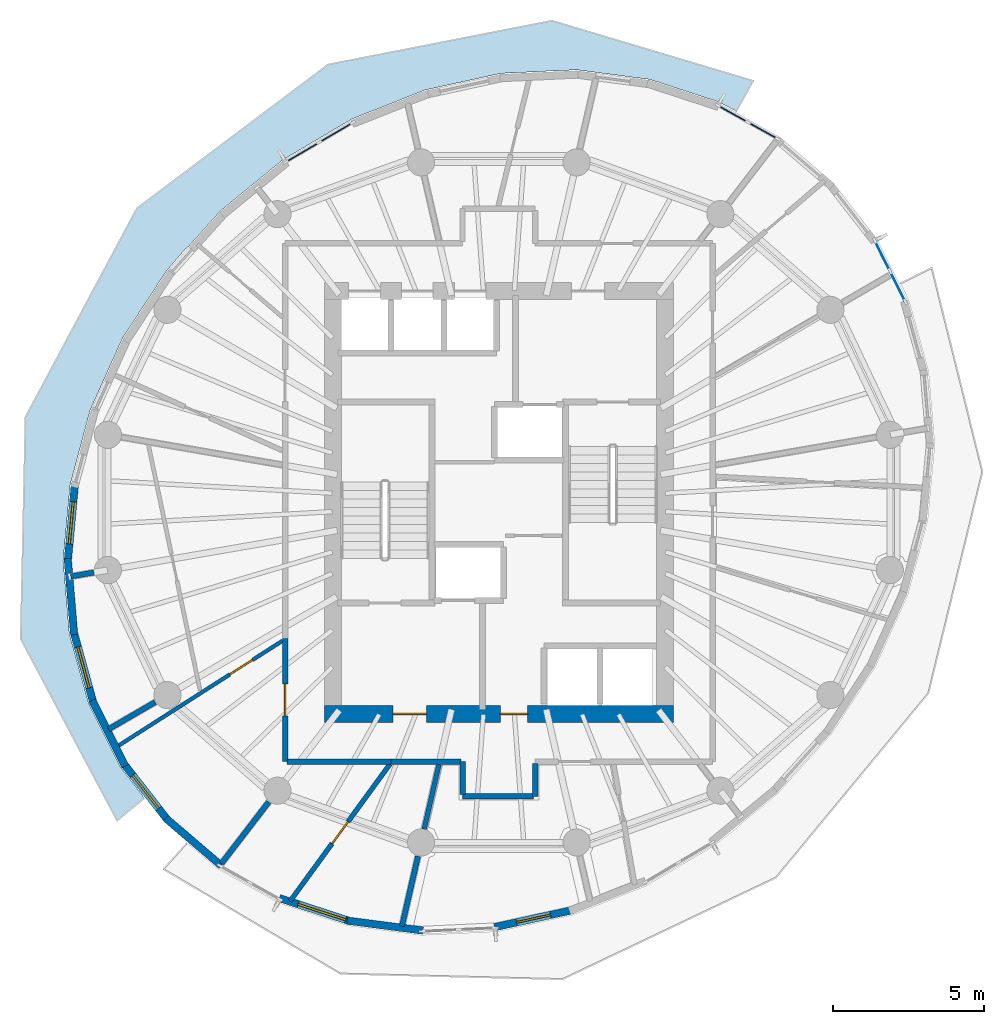
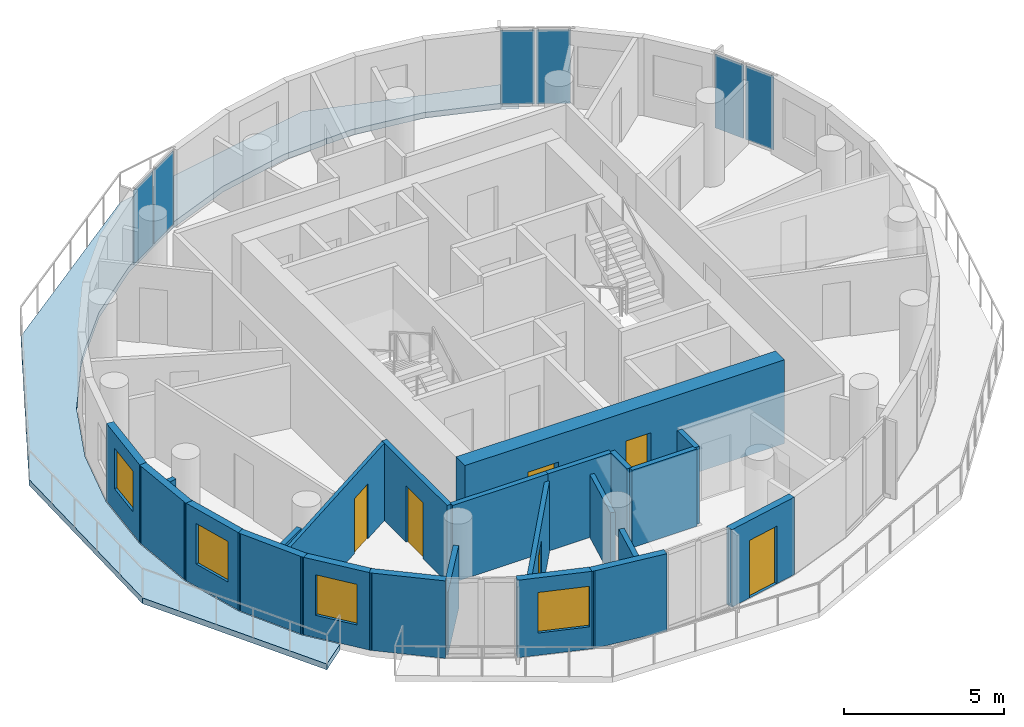
# One storey, part 4 of 10: 23 walls, 6 doors, 6 plates, 4 windows, 1 slab, 10 openings, 3 elements without a shape of their own.
"""IFC4 building model written with IfcOpenShell, lengths in metres."""

from ifc_helpers import new_model, si_unit, direction, frame, frame_2d, origin, origin_2d, place, context, subcontext, project, spatial, polyline, rectangle, outline, extrude, material, layer, layer_set, type_object, element, fill, aggregate, save


model = new_model("IFC4")

# Units and contexts
model_context = context("Model", 3, precision=1e-05, world=origin(), true_north=direction((0.0, 1.0)))
body_context = subcontext(model_context, "Body", "Model", "MODEL_VIEW")
ifc_project = project(units=[si_unit("LENGTHUNIT", "METRE"), si_unit("AREAUNIT", "SQUARE_METRE"), si_unit("VOLUMEUNIT", "CUBIC_METRE"), si_unit("PLANEANGLEUNIT", "RADIAN"), si_unit("MASSUNIT", "GRAM", prefix="KILO")], contexts=[model_context])

# Site, building, storey
site_placement = place(None, origin())
site = spatial("IfcSite", under=ifc_project, at=site_placement, CompositionType="ELEMENT")
building_placement = place(site_placement, origin())
building = spatial("IfcBuilding", under=site, at=building_placement, Name="Veldorim Arch Residences", CompositionType="ELEMENT")
storey_placement = place(building_placement, frame((0.0, 0.0, 175.840087890625)))
storey = spatial("IfcBuildingStorey", under=building, at=storey_placement, Name="L52", CompositionType="ELEMENT", Elevation=175.840087890625)

# Slab
ifc_material_1 = material(Name="Concrete C40/50", Category="concrete")
ifc_layer_1 = layer(ifc_material_1, 0.219970703125, Name="Planted Crescent Cantilever Balcony Slab 220")
ifc_layer_set_1 = layer_set([ifc_layer_1], Name="Concrete C40/50")
slab_type = type_object("IfcSlabType", Name="Planted Crescent Cantilever Balcony Slab 220", PredefinedType="FLOOR", material=ifc_layer_set_1)
slab_placement = place(storey_placement, frame((0.0, 0.0, -0.219970703125)))
element("IfcSlab", 1, at=slab_placement, inside=storey, type_object=slab_type, Name="L52 planted crescent balcony slab A", PredefinedType="FLOOR", context=body_context, shape_type="SweptSolid", body=[
    extrude(outline(polyline([(39.86279296875, 36.956298828125), (39.275146484375, 37.260009765625), (37.001220703125, 38.00390625), (34.575439453125, 38.322265625), (33.7724609375, 38.284912109375), (33.6787109375, 38.30517578125), (33.556640625, 38.274658203125), (32.071533203125, 38.205322265625), (29.565673828125, 37.65673828125), (27.134033203125, 36.693359375), (24.85009765625, 35.3447265625), (22.783447265625, 33.651123046875), (21.719482421875, 32.46826171875), (21.622802734375, 32.393310546875), (20.99658203125, 31.664794921875), (19.544189453125, 29.445556640625), (18.469970703125, 27.060791015625), (17.806396484375, 24.582763671875), (17.57421875, 22.087158203125), (17.780517578125, 19.649169921875), (18.4189453125, 17.343505859375), (19.47021484375, 15.23974609375), (20.19482421875, 14.309814453125), (20.247314453125, 14.18994140625), (19.357177734375, 13.4619140625), (16.16650390625, 19.47705078125), (16.323974609375, 26.832275390625), (20.01220703125, 33.740966796875), (26.34228515625, 38.499267578125), (33.7568359375, 39.950927734375), (40.422607421875, 37.9609375), (39.86279296875, 36.956298828125)])), origin(), (0.0, 0.0, 1.0), 0.219970703125),
])

# Curtain wall, plates
ifc_material_2 = material(Name="Aluminium", Category="aluminium")
curtain_wall_type = type_object("IfcCurtainWallType", Name="Zone 4 High-Altitude Unitised Curtain Wall", PredefinedType="NOTDEFINED", material=ifc_material_2)
curtain_wall_1_placement = place(storey_placement, origin())
curtain_wall_1 = element("IfcCurtainWall", 2, at=curtain_wall_1_placement, inside=storey, type_object=curtain_wall_type, Name="L52 unitised curtain wall bay 02", PredefinedType="NOTDEFINED")
ifc_material_3 = material(Name="Laminated Low-E Glass", Category="glass")
ifc_layer_2 = layer(ifc_material_3, 0.030029296875, Name="Zone 4 High-Altitude Unitised Curtain Wall Glazing Panel 30")
ifc_layer_set_2 = layer_set([ifc_layer_2], Name="Laminated Low-E Glass")
plate_type = type_object("IfcPlateType", Name="Zone 4 High-Altitude Unitised Curtain Wall Glazing Panel 30", PredefinedType="CURTAIN_PANEL", material=ifc_layer_set_2)
plate_1_placement = place(storey_placement, frame((39.749755859375, 36.86328125, 0.074951171875), z_axis=(0.0, 0.0, 1.0), x_axis=(0.872990977539, -0.487736356175, 0.0)))
plate_1 = element("IfcPlate", 3, at=plate_1_placement, type_object=plate_type, Name="CW-Z4 panel 1.1", PredefinedType="CURTAIN_PANEL", context=body_context, shape_type="SweptSolid", body=[
    extrude(rectangle(XDim=1.060791015625, YDim=0.030029296875, at=origin_2d()), origin(), (0.0, 0.0, 1.0), 2.81005859375),
])
plate_2_placement = place(storey_placement, frame((40.741455078125, 36.30908203125, 0.074951171875), z_axis=(0.0, 0.0, 1.0), x_axis=(0.872990977539, -0.487736356175, 0.0)))
plate_2 = element("IfcPlate", 4, at=plate_2_placement, type_object=plate_type, Name="CW-Z4 panel 2.1", PredefinedType="CURTAIN_PANEL", context=body_context, shape_type="SweptSolid", body=[
    extrude(rectangle(XDim=1.060791015625, YDim=0.030029296875, at=origin_2d()), origin(), (0.0, 0.0, 1.0), 2.81005859375),
])
aggregate(curtain_wall_1, [plate_1, plate_2])

curtain_wall_2_placement = place(storey_placement, origin())
curtain_wall_2 = element("IfcCurtainWall", 5, at=curtain_wall_2_placement, inside=storey, type_object=curtain_wall_type, Name="L52 unitised curtain wall bay 08", PredefinedType="NOTDEFINED")
plate_3_placement = place(storey_placement, frame((25.49658203125, 35.5927734375, 0.074951171875), z_axis=(0.0, 0.0, 1.0), x_axis=(0.861053534494, 0.508514317139, 0.0)))
plate_3 = element("IfcPlate", 6, at=plate_3_placement, type_object=plate_type, Name="CW-Z4 panel 1.1", PredefinedType="CURTAIN_PANEL", context=body_context, shape_type="SweptSolid", body=[
    extrude(rectangle(XDim=1.211669921875, YDim=0.030029296875, at=origin_2d()), origin(), (0.0, 0.0, 1.0), 2.81005859375),
])
plate_4_placement = place(storey_placement, frame((26.6044921875, 36.2470703125, 0.074951171875), z_axis=(0.0, 0.0, 1.0), x_axis=(0.861053534494, 0.508514317139, 0.0)))
plate_4 = element("IfcPlate", 7, at=plate_4_placement, type_object=plate_type, Name="CW-Z4 panel 2.1", PredefinedType="CURTAIN_PANEL", context=body_context, shape_type="SweptSolid", body=[
    extrude(rectangle(XDim=1.211669921875, YDim=0.030029296875, at=origin_2d()), origin(), (0.0, 0.0, 1.0), 2.81005859375),
])
aggregate(curtain_wall_2, [plate_3, plate_4])

curtain_wall_3_placement = place(storey_placement, origin())
curtain_wall_3 = element("IfcCurtainWall", 8, at=curtain_wall_3_placement, inside=storey, type_object=curtain_wall_type, Name="L52 unitised curtain wall bay 35", PredefinedType="NOTDEFINED")
plate_5_placement = place(storey_placement, frame((44.69873046875, 32.1650390625, 0.074951171875), z_axis=(0.0, 0.0, 1.0), x_axis=(0.446992003276, -0.894537952804, 0.0)))
plate_5 = element("IfcPlate", 9, at=plate_5_placement, type_object=plate_type, Name="CW-Z4 panel 1.1", PredefinedType="CURTAIN_PANEL", context=body_context, shape_type="SweptSolid", body=[
    extrude(rectangle(XDim=1.060791015625, YDim=0.030029296875, at=origin_2d()), origin(), (0.0, 0.0, 1.0), 2.81005859375),
])
plate_6_placement = place(storey_placement, frame((45.20654296875, 31.14892578125, 0.074951171875), z_axis=(0.0, 0.0, 1.0), x_axis=(0.446992003276, -0.894537952804, 0.0)))
plate_6 = element("IfcPlate", 10, at=plate_6_placement, type_object=plate_type, Name="CW-Z4 panel 2.1", PredefinedType="CURTAIN_PANEL", context=body_context, shape_type="SweptSolid", body=[
    extrude(rectangle(XDim=1.060791015625, YDim=0.030029296875, at=origin_2d()), origin(), (0.0, 0.0, 1.0), 2.81005859375),
])
aggregate(curtain_wall_3, [plate_5, plate_6])

# Wall, opening, door
ifc_material_4 = material(Name="Acoustic Gypsum Board", Category="gypsum")
ifc_layer_3 = layer(ifc_material_4, 0.125, Name="Acoustic Stud Room Partition Wall 125")
ifc_layer_set_3 = layer_set([ifc_layer_3], Name="Acoustic Gypsum Board")
wall_type_1 = type_object("IfcWallType", Name="Acoustic Stud Room Partition Wall 125", PredefinedType="PARTITIONING", material=ifc_layer_set_3)
wall_1_placement = place(storey_placement, frame((19.326416015625, 15.896240234375, 0.0), z_axis=(0.0, 0.0, 1.0), x_axis=(0.842495759882, 0.538702974357, 0.0)))
wall_1 = element("IfcWall", 11, at=wall_1_placement, inside=storey, type_object=wall_type_1, Name="L52 interior wall WL-RES-L52-031", PredefinedType="PARTITIONING", context=body_context, shape_type="SweptSolid", body=[
    extrude(rectangle(XDim=6.539306640625, YDim=0.125, at=frame_2d((3.26953125, 0.0))), origin(), (0.0, 0.0, 1.0), 2.954833984375),
])
opening_1_placement = place(wall_1_placement, frame((4.469482421875, 0.0, 0.0)))
opening_1 = element("IfcOpeningElement", 12, at=opening_1_placement, cuts=wall_1, Name="Opening DR-INT", PredefinedType="OPENING", context=body_context, shape_type="SweptSolid", body=[
    extrude(rectangle(XDim=0.89990234375, YDim=2.10009765625, at=frame_2d((0.449951171875, 1.050048828125))), frame((0.0, 0.072509765625, 0.0), z_axis=(0.0, -1.0, 0.0), x_axis=(1.0, 0.0, 0.0)), (0.0, 0.0, 1.0), 0.14501953125),
])
ifc_material_5 = material(Name="Engineered Timber", Category="wood")
door_type_1 = type_object("IfcDoorType", Name="Apartment Internal Room Timber Door 900x2100", OperationType="SINGLE_SWING_LEFT", PredefinedType="DOOR", material=ifc_material_5)
door_1_placement = place(opening_1_placement, origin())
door_1 = element("IfcDoor", 13, at=door_1_placement, inside=storey, type_object=door_type_1, Name="L52 interior door DR-RES-L52-016", OperationType="SINGLE_SWING_RIGHT", OverallHeight=2.10009765625, OverallWidth=0.89990234375, PredefinedType="DOOR", context=body_context, shape_type="SweptSolid", body=[
    extrude(rectangle(XDim=0.89990234375, YDim=2.10009765625, at=frame_2d((0.449951171875, 1.050048828125))), frame((0.0, 0.02490234375, 0.0), z_axis=(0.0, -1.0, 0.0), x_axis=(1.0, 0.0, 0.0)), (0.0, 0.0, 1.0), 0.050048828125),
])
fill(opening_1, door_1)

# Walls
ifc_material_6 = material(Name="Lightweight Masonry Block & Gypsum", Category="masonry")
ifc_layer_4 = layer(ifc_material_6, 0.179931640625, Name="Compartment & Corridor Fire-Rated Party Wall 180")
ifc_layer_set_4 = layer_set([ifc_layer_4], Name="Lightweight Masonry Block & Gypsum")
wall_type_2 = type_object("IfcWallType", Name="Compartment & Corridor Fire-Rated Party Wall 180", PredefinedType="PARTITIONING", material=ifc_layer_set_4)
wall_2_placement = place(storey_placement, frame((18.590576171875, 21.680419921875, 0.0), z_axis=(0.0, 0.0, 1.0), x_axis=(-0.985363715758, -0.170465092225, 0.0)))
element("IfcWall", 14, at=wall_2_placement, inside=storey, type_object=wall_type_2, Name="L52 interior wall WL-PIER-L52-09", PredefinedType="PARTITIONING", context=body_context, shape_type="SweptSolid", body=[
    extrude(rectangle(XDim=0.7763671875, YDim=0.179931640625, at=frame_2d((0.38818359375, 0.0))), origin(), (0.0, 0.0, 1.0), 2.4033203125),
])
wall_3_placement = place(storey_placement, frame((20.6181640625, 17.385986328125, 0.0), z_axis=(0.0, 0.0, 1.0), x_axis=(-0.86456661279, -0.502518230563, 0.0)))
element("IfcWall", 15, at=wall_3_placement, inside=storey, type_object=wall_type_2, Name="L52 interior wall WL-PIER-L52-10", PredefinedType="PARTITIONING", context=body_context, shape_type="SweptSolid", body=[
    extrude(rectangle(XDim=1.784912109375, YDim=0.179931640625, at=frame_2d((0.892578125, 0.0))), origin(), (0.0, 0.0, 1.0), 2.4033203125),
])
wall_4_placement = place(storey_placement, frame((24.380126953125, 14.08203125, 0.0), z_axis=(0.0, 0.0, 1.0), x_axis=(-0.609164681512, -0.793043750873, 0.0)))
element("IfcWall", 16, at=wall_4_placement, inside=storey, type_object=wall_type_2, Name="L52 interior wall WL-PIER-L52-11", PredefinedType="PARTITIONING", context=body_context, shape_type="SweptSolid", body=[
    extrude(rectangle(XDim=2.57177734375, YDim=0.179931640625, at=frame_2d((1.285888671875, 0.0))), origin(), (0.0, 0.0, 1.0), 2.4033203125),
])
wall_5_placement = place(storey_placement, frame((29.320068359375, 12.282470703125, 0.0), z_axis=(0.0, 0.0, 1.0), x_axis=(-0.223011847659, -0.974815734282, 0.0)))
element("IfcWall", 17, at=wall_5_placement, inside=storey, type_object=wall_type_2, Name="L52 interior wall WL-PIER-L52-12", PredefinedType="PARTITIONING", context=body_context, shape_type="SweptSolid", body=[
    extrude(rectangle(XDim=2.37451171875, YDim=0.179931640625, at=frame_2d((1.187255859375, 0.0))), origin(), (0.0, 0.0, 1.0), 2.4033203125),
])
wall_6_placement = place(storey_placement, frame((33.199951171875, 15.360107421875, 0.0), z_axis=(0.0, 0.0, 1.0), x_axis=(0.0, -1.0, 0.0)))
element("IfcWall", 18, at=wall_6_placement, inside=storey, type_object=wall_type_2, Name="L52 interior wall WL-RES-L52-002", PredefinedType="PARTITIONING", context=body_context, shape_type="SweptSolid", body=[
    extrude(rectangle(XDim=1.090087890625, YDim=0.179931640625, at=frame_2d((0.544921875, 0.0))), origin(), (0.0, 0.0, 1.0), 2.954833984375),
])
wall_7_placement = place(storey_placement, frame((33.139892578125, 14.27001953125, 0.0), z_axis=(0.0, 0.0, 1.0), x_axis=(-1.0, 0.0, 0.0)))
element("IfcWall", 19, at=wall_7_placement, inside=storey, type_object=wall_type_2, Name="L52 interior wall WL-RES-L52-003", PredefinedType="PARTITIONING", context=body_context, shape_type="SweptSolid", body=[
    extrude(rectangle(XDim=2.33984375, YDim=0.179931640625, at=frame_2d((1.169921875, 0.0))), origin(), (0.0, 0.0, 1.0), 2.954833984375),
])
wall_8_placement = place(storey_placement, frame((30.800048828125, 14.330078125, 0.0), z_axis=(0.0, 0.0, 1.0), x_axis=(0.0, 1.0, 0.0)))
element("IfcWall", 20, at=wall_8_placement, inside=storey, type_object=wall_type_2, Name="L52 interior wall WL-RES-L52-004", PredefinedType="PARTITIONING", context=body_context, shape_type="SweptSolid", body=[
    extrude(rectangle(XDim=1.08984375, YDim=0.179931640625, at=frame_2d((0.544921875, 0.0))), origin(), (0.0, 0.0, 1.0), 2.954833984375),
])
wall_9_placement = place(storey_placement, frame((30.739990234375, 15.419921875, 0.0), z_axis=(0.0, 0.0, 1.0), x_axis=(-1.0, 0.0, 0.0)))
element("IfcWall", 21, at=wall_9_placement, inside=storey, type_object=wall_type_2, Name="L52 interior wall WL-RES-L52-005", PredefinedType="PARTITIONING", context=body_context, shape_type="SweptSolid", body=[
    extrude(rectangle(XDim=2.309326171875, YDim=0.179931640625, at=frame_2d((1.15478515625, 0.0))), origin(), (0.0, 0.0, 1.0), 2.954833984375),
])

# Wall, opening, door
wall_10_placement = place(storey_placement, frame((24.919921875, 15.419921875, 0.0), z_axis=(0.0, 0.0, 1.0), x_axis=(0.0, 1.0, 0.0)))
wall_10 = element("IfcWall", 22, at=wall_10_placement, inside=storey, type_object=wall_type_2, Name="L52 interior wall WL-RES-L52-014", PredefinedType="PARTITIONING", context=body_context, shape_type="SweptSolid", body=[
    extrude(rectangle(XDim=4.072998046875, YDim=0.179931640625, at=frame_2d((2.03662109375, 0.0))), origin(), (0.0, 0.0, 1.0), 2.954833984375),
])
opening_2_placement = place(wall_10_placement, frame((1.511474609375, 0.0, 0.0)))
opening_2 = element("IfcOpeningElement", 23, at=opening_2_placement, cuts=wall_10, Name="Opening DR-FLT", PredefinedType="OPENING", context=body_context, shape_type="SweptSolid", body=[
    extrude(rectangle(XDim=1.050048828125, YDim=2.14990234375, at=frame_2d((0.52490234375, 1.074951171875))), frame((0.0, 0.099853515625, 0.0), z_axis=(0.0, -1.0, 0.0), x_axis=(1.0, 0.0, 0.0)), (0.0, 0.0, 1.0), 0.199951171875),
])
ifc_material_7 = material(Name="Fire-Rated Timber", Category="wood")
door_type_2 = type_object("IfcDoorType", Name="Apartment Entrance Solid-Core Fire Door 1050x2150", OperationType="SINGLE_SWING_LEFT", PredefinedType="DOOR", material=ifc_material_7)
door_2_placement = place(opening_2_placement, origin())
door_2 = element("IfcDoor", 24, at=door_2_placement, inside=storey, type_object=door_type_2, Name="L52 interior door DR-RES-L52-014", OperationType="SINGLE_SWING_RIGHT", OverallHeight=2.14990234375, OverallWidth=1.050048828125, PredefinedType="DOOR", context=body_context, shape_type="SweptSolid", body=[
    extrude(rectangle(XDim=1.050048828125, YDim=2.14990234375, at=frame_2d((0.52490234375, 1.074951171875))), frame((0.0, 0.02490234375, 0.0), z_axis=(0.0, -1.0, 0.0), x_axis=(1.0, 0.0, 0.0)), (0.0, 0.0, 1.0), 0.050048828125),
])
fill(opening_2, door_2)

# Wall
wall_11_placement = place(storey_placement, frame((28.475341796875, 15.419921875, 0.0), z_axis=(0.0, 0.0, 1.0), x_axis=(-1.0, 0.0, 0.0)))
element("IfcWall", 25, at=wall_11_placement, inside=storey, type_object=wall_type_2, Name="L52 interior wall WL-RES-L52-015", PredefinedType="PARTITIONING", context=body_context, shape_type="SweptSolid", body=[
    extrude(rectangle(XDim=3.495361328125, YDim=0.179931640625, at=frame_2d((1.74755859375, 0.0))), origin(), (0.0, 0.0, 1.0), 2.954833984375),
])

# Wall, opening, window
ifc_material_8 = material(Name="Precast concrete C40/50", Category="concrete")
ifc_layer_5 = layer(ifc_material_8, 0.25, Name="Tower Terracotta Spandrel & Pier Wall 250")
ifc_layer_set_5 = layer_set([ifc_layer_5], Name="Precast concrete C40/50")
wall_type_3 = type_object("IfcWallType", Name="Tower Terracotta Spandrel & Pier Wall 250", PredefinedType="SOLIDWALL", material=ifc_layer_set_5)
wall_12_placement = place(storey_placement, frame((17.7197265625, 22.030517578125, 0.0), z_axis=(0.0, 0.0, 1.0), x_axis=(0.092582110032, 0.995705053167, 0.0)))
wall_12 = element("IfcWall", 26, at=wall_12_placement, inside=storey, type_object=wall_type_3, Name="L52 terracotta facade wall 14", PredefinedType="SOLIDWALL", context=body_context, shape_type="SweptSolid", body=[
    extrude(rectangle(XDim=2.59228515625, YDim=0.25, at=frame_2d((1.296142578125, 0.0))), origin(), (0.0, 0.0, 1.0), 2.9599609375),
])
opening_3_placement = place(wall_12_placement, frame((0.595947265625, 0.0, 0.85009765625)))
opening_3 = element("IfcOpeningElement", 27, at=opening_3_placement, cuts=wall_12, Name="Opening WN-02", PredefinedType="OPENING", context=body_context, shape_type="SweptSolid", body=[
    extrude(rectangle(XDim=1.39990234375, YDim=1.550048828125, at=frame_2d((0.699951171875, 0.77490234375))), frame((0.0, 0.135009765625, 0.0), z_axis=(0.0, -1.0, 0.0), x_axis=(1.0, 0.0, 0.0)), (0.0, 0.0, 1.0), 0.27001953125),
])
ifc_material_9 = material(Name="Laminated Low-E Glass", Category="glass")
window_type_1 = type_object("IfcWindowType", Name="Residential Casement Window 1400x1550", PartitioningType="SINGLE_PANEL", PredefinedType="WINDOW", material=ifc_material_9)
window_1_placement = place(opening_3_placement, origin())
window_1 = element("IfcWindow", 28, at=window_1_placement, inside=storey, type_object=window_type_1, Name="L52 solar-control facade window 14", OverallHeight=1.550048828125, OverallWidth=1.39990234375, PartitioningType="SINGLE_PANEL", PredefinedType="WINDOW", context=body_context, shape_type="SweptSolid", body=[
    extrude(rectangle(XDim=1.39990234375, YDim=1.550048828125, at=frame_2d((0.699951171875, 0.77490234375))), frame((0.0, 0.030029296875, 0.0), z_axis=(0.0, -1.0, 0.0), x_axis=(1.0, 0.0, 0.0)), (0.0, 0.0, 1.0), 0.06005859375),
])
fill(opening_3, window_1)

# Wall
wall_13_placement = place(storey_placement, frame((17.93359375, 19.619384765625, 0.0), z_axis=(0.0, 0.0, 1.0), x_axis=(-0.084274320236, 0.996442591898, 0.0)))
element("IfcWall", 29, at=wall_13_placement, inside=storey, type_object=wall_type_3, Name="L52 terracotta facade wall 15", PredefinedType="SOLIDWALL", context=body_context, shape_type="SweptSolid", body=[
    extrude(rectangle(XDim=2.531982421875, YDim=0.25, at=frame_2d((1.26611328125, 0.0))), origin(), (0.0, 0.0, 1.0), 2.9599609375),
])

# Wall, opening, window
wall_14_placement = place(storey_placement, frame((18.57470703125, 17.34228515625, 0.0), z_axis=(0.0, 0.0, 1.0), x_axis=(-0.266734060973, 0.96377017007, 0.0)))
wall_14 = element("IfcWall", 30, at=wall_14_placement, inside=storey, type_object=wall_type_3, Name="L52 terracotta facade wall 16", PredefinedType="SOLIDWALL", context=body_context, shape_type="SweptSolid", body=[
    extrude(rectangle(XDim=2.477783203125, YDim=0.25, at=frame_2d((1.23876953125, 0.0))), origin(), (0.0, 0.0, 1.0), 2.9599609375),
])
opening_4_placement = place(wall_14_placement, frame((0.5390625, 0.0, 0.85009765625)))
opening_4 = element("IfcOpeningElement", 31, at=opening_4_placement, cuts=wall_14, Name="Opening WN-02", PredefinedType="OPENING", context=body_context, shape_type="SweptSolid", body=[
    extrude(rectangle(XDim=1.39990234375, YDim=1.550048828125, at=frame_2d((0.699951171875, 0.77490234375))), frame((0.0, 0.135009765625, 0.0), z_axis=(0.0, -1.0, 0.0), x_axis=(1.0, 0.0, 0.0)), (0.0, 0.0, 1.0), 0.27001953125),
])
window_2_placement = place(opening_4_placement, origin())
window_2 = element("IfcWindow", 32, at=window_2_placement, inside=storey, type_object=window_type_1, Name="L52 solar-control facade window 16", OverallHeight=1.550048828125, OverallWidth=1.39990234375, PartitioningType="SINGLE_PANEL", PredefinedType="WINDOW", context=body_context, shape_type="SweptSolid", body=[
    extrude(rectangle(XDim=1.39990234375, YDim=1.550048828125, at=frame_2d((0.699951171875, 0.77490234375))), frame((0.0, 0.030029296875, 0.0), z_axis=(0.0, -1.0, 0.0), x_axis=(1.0, 0.0, 0.0)), (0.0, 0.0, 1.0), 0.06005859375),
])
fill(opening_4, window_2)

# Wall
wall_15_placement = place(storey_placement, frame((19.623291015625, 15.268798828125, 0.0), z_axis=(0.0, 0.0, 1.0), x_axis=(-0.447053282344, 0.894507329621, 0.0)))
element("IfcWall", 33, at=wall_15_placement, inside=storey, type_object=wall_type_3, Name="L52 terracotta facade wall 17", PredefinedType="SOLIDWALL", context=body_context, shape_type="SweptSolid", body=[
    extrude(rectangle(XDim=2.436767578125, YDim=0.25, at=frame_2d((1.21826171875, 0.0))), origin(), (0.0, 0.0, 1.0), 2.9599609375),
])

# Wall, opening, window
wall_16_placement = place(storey_placement, frame((21.046630859375, 13.460693359375, 0.0), z_axis=(0.0, 0.0, 1.0), x_axis=(-0.61468225386, 0.788774826417, 0.0)))
wall_16 = element("IfcWall", 34, at=wall_16_placement, inside=storey, type_object=wall_type_3, Name="L52 terracotta facade wall 18", PredefinedType="SOLIDWALL", context=body_context, shape_type="SweptSolid", body=[
    extrude(rectangle(XDim=2.414794921875, YDim=0.25, at=frame_2d((1.20751953125, 0.0))), origin(), (0.0, 0.0, 1.0), 2.9599609375),
])
opening_5_placement = place(wall_16_placement, frame((0.507080078125, 0.0, 0.85009765625)))
opening_5 = element("IfcOpeningElement", 35, at=opening_5_placement, cuts=wall_16, Name="Opening WN-02", PredefinedType="OPENING", context=body_context, shape_type="SweptSolid", body=[
    extrude(rectangle(XDim=1.39990234375, YDim=1.550048828125, at=frame_2d((0.699951171875, 0.77490234375))), frame((0.0, 0.135009765625, 0.0), z_axis=(0.0, -1.0, 0.0), x_axis=(1.0, 0.0, 0.0)), (0.0, 0.0, 1.0), 0.27001953125),
])
window_3_placement = place(opening_5_placement, origin())
window_3 = element("IfcWindow", 36, at=window_3_placement, inside=storey, type_object=window_type_1, Name="L52 solar-control facade window 18", OverallHeight=1.550048828125, OverallWidth=1.39990234375, PartitioningType="SINGLE_PANEL", PredefinedType="WINDOW", context=body_context, shape_type="SweptSolid", body=[
    extrude(rectangle(XDim=1.39990234375, YDim=1.550048828125, at=frame_2d((0.699951171875, 0.77490234375))), frame((0.0, 0.030029296875, 0.0), z_axis=(0.0, -1.0, 0.0), x_axis=(1.0, 0.0, 0.0)), (0.0, 0.0, 1.0), 0.06005859375),
])
fill(opening_5, window_3)

# Wall
wall_17_placement = place(storey_placement, frame((22.8017578125, 11.97314453125, 0.0), z_axis=(0.0, 0.0, 1.0), x_axis=(-0.759591927835, 0.65039995631, 0.0)))
element("IfcWall", 37, at=wall_17_placement, inside=storey, type_object=wall_type_3, Name="L52 terracotta facade wall 19", PredefinedType="SOLIDWALL", context=body_context, shape_type="SweptSolid", body=[
    extrude(rectangle(XDim=2.414794921875, YDim=0.25, at=frame_2d((1.20751953125, 0.0))), origin(), (0.0, 0.0, 1.0), 2.9599609375),
])

# Wall, opening, window
wall_18_placement = place(storey_placement, frame((27.0859375, 10.125244140625, 0.0), z_axis=(0.0, 0.0, 1.0), x_axis=(-0.950422545433, 0.310961388491, 0.0)))
wall_18 = element("IfcWall", 38, at=wall_18_placement, inside=storey, type_object=wall_type_3, Name="L52 terracotta facade wall 21", PredefinedType="SOLIDWALL", context=body_context, shape_type="SweptSolid", body=[
    extrude(rectangle(XDim=2.477783203125, YDim=0.25, at=frame_2d((1.23876953125, 0.0))), origin(), (0.0, 0.0, 1.0), 2.9599609375),
])
opening_6_placement = place(wall_18_placement, frame((0.175048828125, 0.0, 0.85009765625)))
opening_6 = element("IfcOpeningElement", 39, at=opening_6_placement, cuts=wall_18, Name="Opening WN-03", PredefinedType="OPENING", context=body_context, shape_type="SweptSolid", body=[
    extrude(rectangle(XDim=1.64990234375, YDim=1.550048828125, at=frame_2d((0.824951171875, 0.77490234375))), frame((0.0, 0.135009765625, 0.0), z_axis=(0.0, -1.0, 0.0), x_axis=(1.0, 0.0, 0.0)), (0.0, 0.0, 1.0), 0.27001953125),
])
ifc_material_10 = material(Name="Laminated Low-E Glass", Category="glass")
window_type_2 = type_object("IfcWindowType", Name="Residential Wide Window 1650x1550", PartitioningType="SINGLE_PANEL", PredefinedType="WINDOW", material=ifc_material_10)
window_4_placement = place(opening_6_placement, origin())
window_4 = element("IfcWindow", 40, at=window_4_placement, inside=storey, type_object=window_type_2, Name="L52 solar-control facade window 21", OverallHeight=1.550048828125, OverallWidth=1.64990234375, PartitioningType="SINGLE_PANEL", PredefinedType="WINDOW", context=body_context, shape_type="SweptSolid", body=[
    extrude(rectangle(XDim=1.64990234375, YDim=1.550048828125, at=frame_2d((0.824951171875, 0.77490234375))), frame((0.0, 0.030029296875, 0.0), z_axis=(0.0, -1.0, 0.0), x_axis=(1.0, 0.0, 0.0)), (0.0, 0.0, 1.0), 0.06005859375),
])
fill(opening_6, window_4)

# Wall
wall_19_placement = place(storey_placement, frame((29.486572265625, 9.82080078125, 0.0), z_axis=(0.0, 0.0, 1.0), x_axis=(-0.991491995227, 0.130167674176, 0.0)))
element("IfcWall", 41, at=wall_19_placement, inside=storey, type_object=wall_type_3, Name="L52 terracotta facade wall 22", PredefinedType="SOLIDWALL", context=body_context, shape_type="SweptSolid", body=[
    extrude(rectangle(XDim=2.531982421875, YDim=0.25, at=frame_2d((1.26611328125, 0.0))), origin(), (0.0, 0.0, 1.0), 2.9599609375),
])

# Wall, opening, door
wall_20_placement = place(storey_placement, frame((34.444091796875, 10.498779296875, 0.0), z_axis=(0.0, 0.0, 1.0), x_axis=(-0.976886196324, -0.213760051067, 0.0)))
wall_20 = element("IfcWall", 42, at=wall_20_placement, inside=storey, type_object=wall_type_3, Name="L52 terracotta facade wall 24", PredefinedType="SOLIDWALL", context=body_context, shape_type="SweptSolid", body=[
    extrude(rectangle(XDim=2.65087890625, YDim=0.25, at=frame_2d((1.325439453125, 0.0))), origin(), (0.0, 0.0, 1.0), 2.9599609375),
])
opening_7_placement = place(wall_20_placement, frame((0.7509765625, 0.0, 0.0)))
opening_7 = element("IfcOpeningElement", 43, at=opening_7_placement, cuts=wall_20, Name="Opening BL-DR", PredefinedType="OPENING", context=body_context, shape_type="SweptSolid", body=[
    extrude(rectangle(XDim=1.14990234375, YDim=2.199951171875, at=frame_2d((0.574951171875, 1.10009765625))), frame((0.0, 0.135009765625, 0.0), z_axis=(0.0, -1.0, 0.0), x_axis=(1.0, 0.0, 0.0)), (0.0, 0.0, 1.0), 0.27001953125),
])
ifc_material_11 = material(Name="Aluminium & Low-E Glass", Category="aluminium")
door_type_3 = type_object("IfcDoorType", Name="Glazed Planted Balcony Door 1150x2200", OperationType="SINGLE_SWING_LEFT", PredefinedType="DOOR", material=ifc_material_11)
door_3_placement = place(opening_7_placement, origin())
door_3 = element("IfcDoor", 44, at=door_3_placement, inside=storey, type_object=door_type_3, Name="L52 glazed outdoor terrace door BALC-2", OperationType="SINGLE_SWING_RIGHT", OverallHeight=2.199951171875, OverallWidth=1.14990234375, PredefinedType="DOOR", context=body_context, shape_type="SweptSolid", body=[
    extrude(rectangle(XDim=1.14990234375, YDim=2.199951171875, at=frame_2d((0.574951171875, 1.10009765625))), frame((0.0, 0.02490234375, 0.0), z_axis=(0.0, -1.0, 0.0), x_axis=(1.0, 0.0, 0.0)), (0.0, 0.0, 1.0), 0.050048828125),
])
fill(opening_7, door_3)

# Wall, openings, doors
ifc_material_12 = material(Name="Concrete C50/60", Category="concrete")
ifc_layer_6 = layer(ifc_material_12, 0.5, Name="Upper Central Core Shear Wall 560")
ifc_layer_set_6 = layer_set([ifc_layer_6], Name="Concrete C50/60")
wall_type_4 = type_object("IfcWallType", Name="Upper Central Core Shear Wall 560", PredefinedType="SHEAR", material=ifc_layer_set_6)
wall_21_placement = place(storey_placement, frame((26.219970703125, 17.0, 0.0), z_axis=(0.0, 0.0, 1.0), x_axis=(1.0, 0.0, 0.0)))
wall_21 = element("IfcWall", 45, at=wall_21_placement, inside=storey, type_object=wall_type_4, Name="L52 central core south shear wall", PredefinedType="SHEAR", context=body_context, shape_type="SweptSolid", body=[
    extrude(rectangle(XDim=11.56005859375, YDim=0.56005859375, at=frame_2d((5.780029296875, 0.0))), origin(), (0.0, 0.0, 1.0), 3.199951171875),
])
opening_8_placement = place(wall_21_placement, frame((2.280029296875, 0.0, 0.0)))
opening_8 = element("IfcOpeningElement", 46, at=opening_8_placement, cuts=wall_21, Name="Opening DR-FFL", PredefinedType="OPENING", context=body_context, shape_type="SweptSolid", body=[
    extrude(rectangle(XDim=1.10009765625, YDim=2.14990234375, at=frame_2d((0.550048828125, 1.074951171875))), frame((0.0, 0.2900390625, 0.0), z_axis=(0.0, -1.0, 0.0), x_axis=(1.0, 0.0, 0.0)), (0.0, 0.0, 1.0), 0.580078125),
])
opening_9_placement = place(wall_21_placement, frame((5.830078125, 0.0, 0.0)))
opening_9 = element("IfcOpeningElement", 47, at=opening_9_placement, cuts=wall_21, Name="Opening DR-SVC", PredefinedType="OPENING", context=body_context, shape_type="SweptSolid", body=[
    extrude(rectangle(XDim=0.89990234375, YDim=2.10009765625, at=frame_2d((0.449951171875, 1.050048828125))), frame((0.0, 0.2900390625, 0.0), z_axis=(0.0, -1.0, 0.0), x_axis=(1.0, 0.0, 0.0)), (0.0, 0.0, 1.0), 0.580078125),
])
ifc_material_13 = material(Name="Fire-Rated Steel & Vision Glass", Category="steel")
door_type_4 = type_object("IfcDoorType", Name="Firefighting Lobby Smoke-Stop Fire Door 1100x2150", OperationType="SINGLE_SWING_LEFT", PredefinedType="DOOR", material=ifc_material_13)
door_4_placement = place(opening_8_placement, origin())
door_4 = element("IfcDoor", 48, at=door_4_placement, inside=storey, type_object=door_type_4, Name="L52 interior door DR-L52-FFL1", OperationType="SINGLE_SWING_RIGHT", OverallHeight=2.14990234375, OverallWidth=1.10009765625, PredefinedType="DOOR", context=body_context, shape_type="SweptSolid", body=[
    extrude(rectangle(XDim=1.10009765625, YDim=2.14990234375, at=frame_2d((0.550048828125, 1.074951171875))), frame((0.0, 0.02490234375, 0.0), z_axis=(0.0, -1.0, 0.0), x_axis=(1.0, 0.0, 0.0)), (0.0, 0.0, 1.0), 0.050048828125),
])
fill(opening_8, door_4)
ifc_material_14 = material(Name="Fire-Rated Steel", Category="steel")
door_type_5 = type_object("IfcDoorType", Name="Riser, Shelter & Plant Room Rated Steel Door 900x2100", OperationType="SINGLE_SWING_LEFT", PredefinedType="DOOR", material=ifc_material_14)
door_5_placement = place(opening_9_placement, origin())
door_5 = element("IfcDoor", 49, at=door_5_placement, inside=storey, type_object=door_type_5, Name="L52 interior door DR-L52-COR-ANC", OperationType="SINGLE_SWING_LEFT", OverallHeight=2.10009765625, OverallWidth=0.89990234375, PredefinedType="DOOR", context=body_context, shape_type="SweptSolid", body=[
    extrude(rectangle(XDim=0.89990234375, YDim=2.10009765625, at=frame_2d((0.449951171875, 1.050048828125))), frame((0.0, 0.02490234375, 0.0), z_axis=(0.0, -1.0, 0.0), x_axis=(1.0, 0.0, 0.0)), (0.0, 0.0, 1.0), 0.050048828125),
])
fill(opening_9, door_5)

# Wall
ifc_material_15 = material(Name="Moisture-Resistant Gypsum & Stud", Category="gypsum")
ifc_layer_7 = layer(ifc_material_15, 0.159912109375, Name="Wet-Area Moisture-Resistant Plumbing Wall 160")
ifc_layer_set_7 = layer_set([ifc_layer_7], Name="Moisture-Resistant Gypsum & Stud")
wall_type_5 = type_object("IfcWallType", Name="Wet-Area Moisture-Resistant Plumbing Wall 160", PredefinedType="PLUMBINGWALL", material=ifc_layer_set_7)
wall_22_placement = place(storey_placement, frame((29.525146484375, 13.17919921875, 0.0), z_axis=(0.0, 0.0, 1.0), x_axis=(0.222969522248, 0.974825416241, 0.0)))
element("IfcWall", 50, at=wall_22_placement, inside=storey, type_object=wall_type_5, Name="L52 interior wall WL-RES-L52-017", PredefinedType="PLUMBINGWALL", context=body_context, shape_type="SweptSolid", body=[
    extrude(rectangle(XDim=2.19873046875, YDim=0.159912109375, at=frame_2d((1.099365234375, 0.0))), origin(), (0.0, 0.0, 1.0), 2.4033203125),
])

# Wall, opening, door
wall_23_placement = place(storey_placement, frame((28.396484375, 15.339111328125, 0.0), z_axis=(0.0, 0.0, 1.0), x_axis=(-0.588873823988, -0.808224980696, 0.0)))
wall_23 = element("IfcWall", 51, at=wall_23_placement, inside=storey, type_object=wall_type_5, Name="L52 interior wall WL-RES-L52-030", PredefinedType="PLUMBINGWALL", context=body_context, shape_type="SweptSolid", body=[
    extrude(rectangle(XDim=5.621826171875, YDim=0.159912109375, at=frame_2d((2.81103515625, 0.0))), origin(), (0.0, 0.0, 1.0), 2.69189453125),
])
opening_10_placement = place(wall_23_placement, frame((2.361083984375, 0.0, 0.0)))
opening_10 = element("IfcOpeningElement", 52, at=opening_10_placement, cuts=wall_23, Name="Opening DR-WC", PredefinedType="OPENING", context=body_context, shape_type="SweptSolid", body=[
    extrude(rectangle(XDim=0.89990234375, YDim=2.10009765625, at=frame_2d((0.449951171875, 1.050048828125))), frame((0.0, 0.08984375, 0.0), z_axis=(0.0, -1.0, 0.0), x_axis=(1.0, 0.0, 0.0)), (0.0, 0.0, 1.0), 0.179931640625),
])
ifc_material_16 = material(Name="Laminate Timber", Category="wood")
door_type_6 = type_object("IfcDoorType", Name="Bathroom & Accessible WC Moisture-Sealed Door 900x2100", OperationType="SINGLE_SWING_LEFT", PredefinedType="DOOR", material=ifc_material_16)
door_6_placement = place(opening_10_placement, origin())
door_6 = element("IfcDoor", 53, at=door_6_placement, inside=storey, type_object=door_type_6, Name="L52 interior door DR-RES-L52-015", OperationType="SINGLE_SWING_LEFT", OverallHeight=2.10009765625, OverallWidth=0.89990234375, PredefinedType="DOOR", context=body_context, shape_type="SweptSolid", body=[
    extrude(rectangle(XDim=0.89990234375, YDim=2.10009765625, at=frame_2d((0.449951171875, 1.050048828125))), frame((0.0, 0.02490234375, 0.0), z_axis=(0.0, -1.0, 0.0), x_axis=(1.0, 0.0, 0.0)), (0.0, 0.0, 1.0), 0.050048828125),
])
fill(opening_10, door_6)

save(model, "model.ifc")
